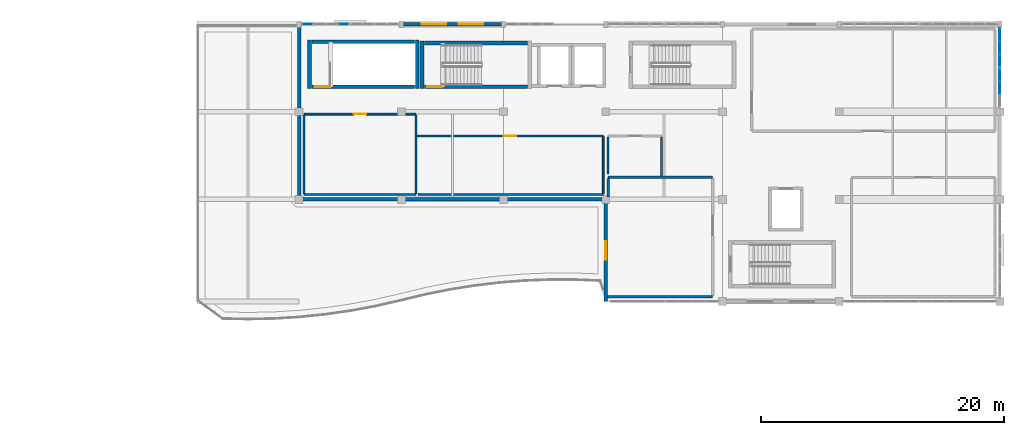
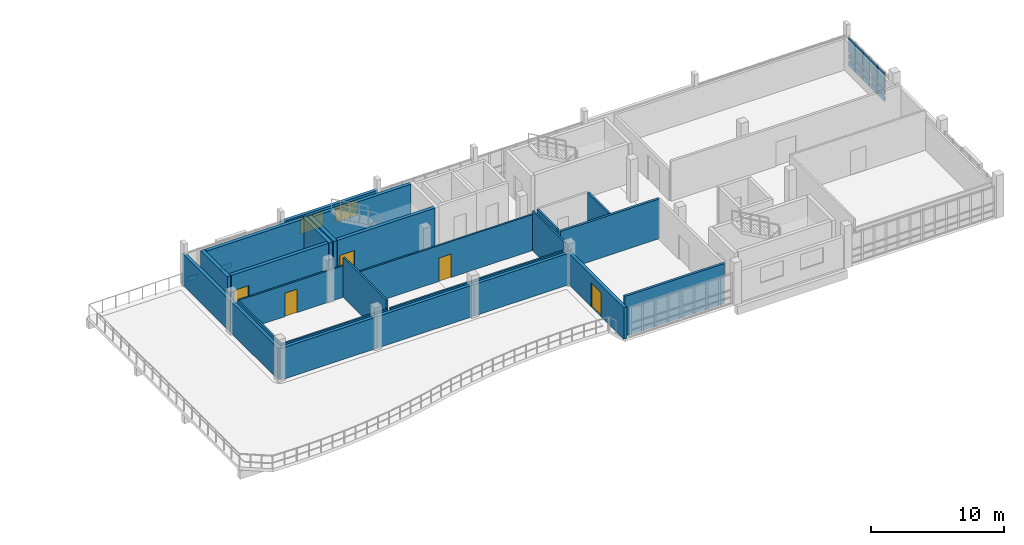
# One storey, part 20 of 25: 26 walls, 17 plates, 5 doors, 2 windows, 7 openings, 3 elements without a shape of their own.
"""IFC4 building model written with IfcOpenShell, lengths in metres."""

from ifc_helpers import new_model, si_unit, direction, frame, frame_2d, origin, origin_2d, place, context, subcontext, project, spatial, rectangle, extrude, material, layer, layer_set, type_object, element, fill, aggregate, save


model = new_model("IFC4")

# Units and contexts
model_context = context("Model", 3, precision=1e-05, world=origin(), true_north=direction((0.0, 1.0)))
body_context = subcontext(model_context, "Body", "Model", "MODEL_VIEW")
ifc_project = project(units=[si_unit("LENGTHUNIT", "METRE"), si_unit("AREAUNIT", "SQUARE_METRE"), si_unit("VOLUMEUNIT", "CUBIC_METRE"), si_unit("PLANEANGLEUNIT", "RADIAN"), si_unit("MASSUNIT", "GRAM", prefix="KILO")], contexts=[model_context])

# Site, building, storey
site_placement = place(None, origin())
site = spatial("IfcSite", under=ifc_project, at=site_placement, CompositionType="ELEMENT")
building_placement = place(site_placement, origin())
building = spatial("IfcBuilding", under=site, at=building_placement, Name="Kisaragi Civic Commons", CompositionType="ELEMENT")
storey_placement = place(building_placement, frame((0.0, 0.0, 13.5)))
storey = spatial("IfcBuildingStorey", under=building, at=storey_placement, Name="L03", CompositionType="ELEMENT", Elevation=13.5)

# Curtain wall, plates
ifc_material_1 = material(Name="Thermally broken anodized aluminium and low-E double glazing", Category="aluminium")
ifc_layer_1 = layer(ifc_material_1, 0.179931640625, Name="Thermally broken anodized aluminium and low-E double glazing", Category="aluminium")
ifc_layer_set_1 = layer_set([ifc_layer_1], Name="Thermally broken anodized aluminium and low-E double glazing")
curtain_wall_type = type_object("IfcCurtainWallType", Name="CW-01", PredefinedType="NOTDEFINED", material=ifc_layer_set_1)
curtain_wall_1_placement = place(storey_placement, origin())
curtain_wall_1 = element("IfcCurtainWall", 1, at=curtain_wall_1_placement, inside=storey, type_object=curtain_wall_type, Name="L03 curtain wall CW-01 CW-V4-L03-095", PredefinedType="NOTDEFINED")
ifc_layer_2 = layer(ifc_material_1, 0.06005859375, Name="Thermally broken anodized aluminium and low-E double glazing", Category="aluminium")
ifc_layer_set_2 = layer_set([ifc_layer_2], Name="Thermally broken anodized aluminium and low-E double glazing")
plate_type_1 = type_object("IfcPlateType", Name="CWP-07", PredefinedType="CURTAIN_PANEL", material=ifc_layer_set_2)
plate_1_placement = place(storey_placement, frame((89.50244140625, 118.800048828125, 0.14013671875), z_axis=(0.0, 0.0, 1.0), x_axis=(1.0, 0.0, 0.0)))
plate_1 = element("IfcPlate", 2, at=plate_1_placement, type_object=plate_type_1, Name="CW-01 panel 1.1", PredefinedType="CURTAIN_PANEL", context=body_context, shape_type="SweptSolid", body=[
    extrude(rectangle(XDim=0.89501953125, YDim=0.06005859375, at=origin_2d()), origin(), (0.0, 0.0, 1.0), 0.43994140625),
])
plate_2_placement = place(storey_placement, frame((92.447509765625, 118.800048828125, 0.14013671875), z_axis=(0.0, 0.0, 1.0), x_axis=(1.0, 0.0, 0.0)))
plate_2 = element("IfcPlate", 3, at=plate_2_placement, type_object=plate_type_1, Name="CW-01 panel 4.1", PredefinedType="CURTAIN_PANEL", context=body_context, shape_type="SweptSolid", body=[
    extrude(rectangle(XDim=0.89501953125, YDim=0.06005859375, at=origin_2d()), origin(), (0.0, 0.0, 1.0), 0.43994140625),
])
aggregate(curtain_wall_1, [plate_1, plate_2])

curtain_wall_2_placement = place(storey_placement, origin())
curtain_wall_2 = element("IfcCurtainWall", 4, at=curtain_wall_2_placement, inside=storey, type_object=curtain_wall_type, Name="L03 curtain wall CW-01 CW-V4-L03-103", PredefinedType="NOTDEFINED")
ifc_layer_3 = layer(ifc_material_1, 0.070068359375, Name="Thermally broken anodized aluminium and low-E double glazing", Category="aluminium")
ifc_layer_set_3 = layer_set([ifc_layer_3], Name="Thermally broken anodized aluminium and low-E double glazing")
plate_type_2 = type_object("IfcPlateType", Name="CWP-17", PredefinedType="CURTAIN_PANEL", material=ifc_layer_set_3)
plate_3_placement = place(storey_placement, frame((146.39990234375, 117.952880859375, 0.14013671875), z_axis=(0.0, 0.0, 1.0), x_axis=(0.0, -1.0, 0.0)))
plate_3 = element("IfcPlate", 5, at=plate_3_placement, type_object=plate_type_2, Name="CW-01 panel 1.1", PredefinedType="CURTAIN_PANEL", context=body_context, shape_type="SweptSolid", body=[
    extrude(rectangle(XDim=0.984130859375, YDim=0.070068359375, at=origin_2d()), origin(), (0.0, 0.0, 1.0), 0.43994140625),
])
plate_4_placement = place(storey_placement, frame((146.39990234375, 117.952880859375, 0.72021484375), z_axis=(0.0, 0.0, 1.0), x_axis=(0.0, -1.0, 0.0)))
plate_4 = element("IfcPlate", 6, at=plate_4_placement, type_object=plate_type_2, Name="CW-01 panel 1.2", PredefinedType="CURTAIN_PANEL", context=body_context, shape_type="SweptSolid", body=[
    extrude(rectangle(XDim=0.984130859375, YDim=0.070068359375, at=origin_2d()), origin(), (0.0, 0.0, 1.0), 0.510009765625),
])
plate_5_placement = place(storey_placement, frame((146.39990234375, 117.952880859375, 1.369873046875), z_axis=(0.0, 0.0, 1.0), x_axis=(0.0, -1.0, 0.0)))
plate_5 = element("IfcPlate", 7, at=plate_5_placement, type_object=plate_type_2, Name="CW-01 panel 1.3", PredefinedType="CURTAIN_PANEL", context=body_context, shape_type="SweptSolid", body=[
    extrude(rectangle(XDim=0.984130859375, YDim=0.070068359375, at=origin_2d()), origin(), (0.0, 0.0, 1.0), 1.39501953125),
])
plate_6_placement = place(storey_placement, frame((146.39990234375, 116.887451171875, 0.14013671875), z_axis=(0.0, 0.0, 1.0), x_axis=(0.0, -1.0, 0.0)))
plate_6 = element("IfcPlate", 8, at=plate_6_placement, type_object=plate_type_2, Name="CW-01 panel 2.1", PredefinedType="CURTAIN_PANEL", context=body_context, shape_type="SweptSolid", body=[
    extrude(rectangle(XDim=1.0166015625, YDim=0.070068359375, at=origin_2d()), origin(), (0.0, 0.0, 1.0), 0.43994140625),
])
plate_7_placement = place(storey_placement, frame((146.39990234375, 116.887451171875, 0.72021484375), z_axis=(0.0, 0.0, 1.0), x_axis=(0.0, -1.0, 0.0)))
plate_7 = element("IfcPlate", 9, at=plate_7_placement, type_object=plate_type_2, Name="CW-01 panel 2.2", PredefinedType="CURTAIN_PANEL", context=body_context, shape_type="SweptSolid", body=[
    extrude(rectangle(XDim=1.0166015625, YDim=0.070068359375, at=origin_2d()), origin(), (0.0, 0.0, 1.0), 0.510009765625),
])
plate_8_placement = place(storey_placement, frame((146.39990234375, 116.887451171875, 1.369873046875), z_axis=(0.0, 0.0, 1.0), x_axis=(0.0, -1.0, 0.0)))
plate_8 = element("IfcPlate", 10, at=plate_8_placement, type_object=plate_type_2, Name="CW-01 panel 2.3", PredefinedType="CURTAIN_PANEL", context=body_context, shape_type="SweptSolid", body=[
    extrude(rectangle(XDim=1.0166015625, YDim=0.070068359375, at=origin_2d()), origin(), (0.0, 0.0, 1.0), 1.39501953125),
])
plate_9_placement = place(storey_placement, frame((146.39990234375, 115.822021484375, 0.14013671875), z_axis=(0.0, 0.0, 1.0), x_axis=(0.0, -1.0, 0.0)))
plate_9 = element("IfcPlate", 11, at=plate_9_placement, type_object=plate_type_2, Name="CW-01 panel 3.1", PredefinedType="CURTAIN_PANEL", context=body_context, shape_type="SweptSolid", body=[
    extrude(rectangle(XDim=0.984130859375, YDim=0.070068359375, at=origin_2d()), origin(), (0.0, 0.0, 1.0), 0.43994140625),
])
plate_10_placement = place(storey_placement, frame((146.39990234375, 115.822021484375, 0.72021484375), z_axis=(0.0, 0.0, 1.0), x_axis=(0.0, -1.0, 0.0)))
plate_10 = element("IfcPlate", 12, at=plate_10_placement, type_object=plate_type_2, Name="CW-01 panel 3.2", PredefinedType="CURTAIN_PANEL", context=body_context, shape_type="SweptSolid", body=[
    extrude(rectangle(XDim=0.984130859375, YDim=0.070068359375, at=origin_2d()), origin(), (0.0, 0.0, 1.0), 0.510009765625),
])
plate_11_placement = place(storey_placement, frame((146.39990234375, 115.822021484375, 1.369873046875), z_axis=(0.0, 0.0, 1.0), x_axis=(0.0, -1.0, 0.0)))
plate_11 = element("IfcPlate", 13, at=plate_11_placement, type_object=plate_type_2, Name="CW-01 panel 3.3", PredefinedType="CURTAIN_PANEL", context=body_context, shape_type="SweptSolid", body=[
    extrude(rectangle(XDim=0.984130859375, YDim=0.070068359375, at=origin_2d()), origin(), (0.0, 0.0, 1.0), 1.39501953125),
])
aggregate(curtain_wall_2, [plate_3, plate_4, plate_5, plate_6, plate_7, plate_8, plate_9, plate_10, plate_11])

curtain_wall_3_placement = place(storey_placement, origin())
curtain_wall_3 = element("IfcCurtainWall", 14, at=curtain_wall_3_placement, inside=storey, type_object=curtain_wall_type, Name="L03 curtain wall CW-01 CW-V4-L03-104", PredefinedType="NOTDEFINED")
ifc_layer_4 = layer(ifc_material_1, 0.077880859375, Name="Thermally broken anodized aluminium and low-E double glazing", Category="aluminium")
ifc_layer_set_4 = layer_set([ifc_layer_4], Name="Thermally broken anodized aluminium and low-E double glazing")
plate_type_3 = type_object("IfcPlateType", Name="CWP-18", PredefinedType="CURTAIN_PANEL", material=ifc_layer_set_4)
plate_12_placement = place(storey_placement, frame((146.39990234375, 114.6279296875, 0.14013671875), z_axis=(0.0, 0.0, 1.0), x_axis=(0.0, -1.0, 0.0)))
plate_12 = element("IfcPlate", 15, at=plate_12_placement, type_object=plate_type_3, Name="CW-01 panel 1.1", PredefinedType="CURTAIN_PANEL", context=body_context, shape_type="SweptSolid", body=[
    extrude(rectangle(XDim=0.984130859375, YDim=0.077880859375, at=origin_2d()), origin(), (0.0, 0.0, 1.0), 0.43994140625),
])
plate_13_placement = place(storey_placement, frame((146.39990234375, 114.6279296875, 0.72021484375), z_axis=(0.0, 0.0, 1.0), x_axis=(0.0, -1.0, 0.0)))
plate_13 = element("IfcPlate", 16, at=plate_13_placement, type_object=plate_type_3, Name="CW-01 panel 1.2", PredefinedType="CURTAIN_PANEL", context=body_context, shape_type="SweptSolid", body=[
    extrude(rectangle(XDim=0.984130859375, YDim=0.077880859375, at=origin_2d()), origin(), (0.0, 0.0, 1.0), 0.510009765625),
])
plate_14_placement = place(storey_placement, frame((146.39990234375, 114.6279296875, 1.369873046875), z_axis=(0.0, 0.0, 1.0), x_axis=(0.0, -1.0, 0.0)))
plate_14 = element("IfcPlate", 17, at=plate_14_placement, type_object=plate_type_3, Name="CW-01 panel 1.3", PredefinedType="CURTAIN_PANEL", context=body_context, shape_type="SweptSolid", body=[
    extrude(rectangle(XDim=0.984130859375, YDim=0.077880859375, at=origin_2d()), origin(), (0.0, 0.0, 1.0), 1.39501953125),
])
plate_15_placement = place(storey_placement, frame((146.39990234375, 113.5625, 0.14013671875), z_axis=(0.0, 0.0, 1.0), x_axis=(0.0, -1.0, 0.0)))
plate_15 = element("IfcPlate", 18, at=plate_15_placement, type_object=plate_type_3, Name="CW-01 panel 2.1", PredefinedType="CURTAIN_PANEL", context=body_context, shape_type="SweptSolid", body=[
    extrude(rectangle(XDim=1.0166015625, YDim=0.077880859375, at=origin_2d()), origin(), (0.0, 0.0, 1.0), 0.43994140625),
])
plate_16_placement = place(storey_placement, frame((146.39990234375, 113.5625, 0.72021484375), z_axis=(0.0, 0.0, 1.0), x_axis=(0.0, -1.0, 0.0)))
plate_16 = element("IfcPlate", 19, at=plate_16_placement, type_object=plate_type_3, Name="CW-01 panel 2.2", PredefinedType="CURTAIN_PANEL", context=body_context, shape_type="SweptSolid", body=[
    extrude(rectangle(XDim=1.0166015625, YDim=0.077880859375, at=origin_2d()), origin(), (0.0, 0.0, 1.0), 0.510009765625),
])
plate_17_placement = place(storey_placement, frame((146.39990234375, 113.5625, 1.369873046875), z_axis=(0.0, 0.0, 1.0), x_axis=(0.0, -1.0, 0.0)))
plate_17 = element("IfcPlate", 20, at=plate_17_placement, type_object=plate_type_3, Name="CW-01 panel 2.3", PredefinedType="CURTAIN_PANEL", context=body_context, shape_type="SweptSolid", body=[
    extrude(rectangle(XDim=1.0166015625, YDim=0.077880859375, at=origin_2d()), origin(), (0.0, 0.0, 1.0), 1.39501953125),
])
aggregate(curtain_wall_3, [plate_12, plate_13, plate_14, plate_15, plate_16, plate_17])

# Wall, openings, windows
ifc_material_2 = material(Name="Insulated Tokoname terracotta cavity wall", Category="masonry")
ifc_layer_5 = layer(ifc_material_2, 0.278076171875, Name="Insulated Tokoname terracotta cavity wall", Category="masonry")
ifc_layer_set_5 = layer_set([ifc_layer_5], Name="Insulated Tokoname terracotta cavity wall")
wall_type_1 = type_object("IfcWallType", Name="EW-07", PredefinedType="STANDARD", material=ifc_layer_set_5)
wall_1_placement = place(storey_placement, frame((97.199951171875, 118.800048828125, 0.0), z_axis=(0.0, 0.0, 1.0), x_axis=(1.0, 0.0, 0.0)))
wall_1 = element("IfcWall", 21, at=wall_1_placement, inside=storey, type_object=wall_type_1, Name="V4 L03 exterior terracotta wall EW-07 374", PredefinedType="STANDARD", context=body_context, shape_type="SweptSolid", body=[
    extrude(rectangle(XDim=8.400146484375, YDim=0.278076171875, at=frame_2d((4.2001953125, 0.0))), origin(), (0.0, 0.0, 1.0), 2.85498046875),
])
opening_1_placement = place(wall_1_placement, frame((1.68798828125, 0.0, 1.10009765625)))
opening_1 = element("IfcOpeningElement", 22, at=opening_1_placement, cuts=wall_1, Name="Opening W-13", PredefinedType="OPENING", context=body_context, shape_type="SweptSolid", body=[
    extrude(rectangle(XDim=2.0, YDim=1.39990234375, at=frame_2d((1.0, 0.699951171875))), frame((0.0, 0.14892578125, 0.0), z_axis=(0.0, -1.0, 0.0), x_axis=(1.0, 0.0, 0.0)), (0.0, 0.0, 1.0), 0.298095703125),
])
opening_2_placement = place(wall_1_placement, frame((4.7119140625, 0.0, 1.10009765625)))
opening_2 = element("IfcOpeningElement", 23, at=opening_2_placement, cuts=wall_1, Name="Opening W-13", PredefinedType="OPENING", context=body_context, shape_type="SweptSolid", body=[
    extrude(rectangle(XDim=2.0, YDim=1.39990234375, at=frame_2d((1.0, 0.699951171875))), frame((0.0, 0.14892578125, 0.0), z_axis=(0.0, -1.0, 0.0), x_axis=(1.0, 0.0, 0.0)), (0.0, 0.0, 1.0), 0.298095703125),
])
ifc_material_3 = material(Name="Thermally broken aluminium frame and low-E argon double glazing", Category="aluminium")
window_type = type_object("IfcWindowType", Name="W-13", PartitioningType="SINGLE_PANEL", PredefinedType="WINDOW", material=ifc_material_3)
window_1_placement = place(opening_1_placement, origin())
window_1 = element("IfcWindow", 24, at=window_1_placement, inside=storey, type_object=window_type, Name="V4 L03 window W-13 122", OverallHeight=1.39990234375, OverallWidth=2.0, PartitioningType="SINGLE_PANEL", PredefinedType="WINDOW", context=body_context, shape_type="SweptSolid", body=[
    extrude(rectangle(XDim=2.0, YDim=1.39990234375, at=frame_2d((1.0, 0.699951171875))), frame((0.0, 0.030029296875, 0.0), z_axis=(0.0, -1.0, 0.0), x_axis=(1.0, 0.0, 0.0)), (0.0, 0.0, 1.0), 0.06005859375),
])
fill(opening_1, window_1)
window_2_placement = place(opening_2_placement, origin())
window_2 = element("IfcWindow", 25, at=window_2_placement, inside=storey, type_object=window_type, Name="V4 L03 window W-13 123", OverallHeight=1.39990234375, OverallWidth=2.0, PartitioningType="SINGLE_PANEL", PredefinedType="WINDOW", context=body_context, shape_type="SweptSolid", body=[
    extrude(rectangle(XDim=2.0, YDim=1.39990234375, at=frame_2d((1.0, 0.699951171875))), frame((0.0, 0.030029296875, 0.0), z_axis=(0.0, -1.0, 0.0), x_axis=(1.0, 0.0, 0.0)), (0.0, 0.0, 1.0), 0.06005859375),
])
fill(opening_2, window_2)

# Wall, opening, door
wall_2_placement = place(storey_placement, frame((114.0, 96.0, 0.0), z_axis=(0.0, 0.0, 1.0), x_axis=(0.0, 1.0, 0.0)))
wall_2 = element("IfcWall", 26, at=wall_2_placement, inside=storey, type_object=wall_type_1, Name="V4 L03 exterior terracotta wall EW-07 378", PredefinedType="STANDARD", context=body_context, shape_type="SweptSolid", body=[
    extrude(rectangle(XDim=8.39990234375, YDim=0.278076171875, at=frame_2d((4.199951171875, 0.0))), origin(), (0.0, 0.0, 1.0), 2.905029296875),
])
opening_3_placement = place(wall_2_placement, frame((3.449951171875, 0.0, 0.0)))
opening_3 = element("IfcOpeningElement", 27, at=opening_3_placement, cuts=wall_2, Name="Opening TD-02", PredefinedType="OPENING", context=body_context, shape_type="SweptSolid", body=[
    extrude(rectangle(XDim=1.5, YDim=2.199951171875, at=frame_2d((0.75, 1.10009765625))), frame((0.0, 0.14892578125, 0.0), z_axis=(0.0, -1.0, 0.0), x_axis=(1.0, 0.0, 0.0)), (0.0, 0.0, 1.0), 0.298095703125),
])
ifc_material_4 = material(Name="Thermally broken anodized aluminium glazed exit door", Category="aluminium")
door_type_1 = type_object("IfcDoorType", Name="TD-02", OperationType="NOTDEFINED", PredefinedType="DOOR", material=ifc_material_4)
door_1_placement = place(opening_3_placement, origin())
door_1 = element("IfcDoor", 28, at=door_1_placement, inside=storey, type_object=door_type_1, Name="V4 L03 terrace access door 07", OperationType="DOUBLE_DOOR_SINGLE_SWING", OverallHeight=2.199951171875, OverallWidth=1.5, PredefinedType="DOOR", context=body_context, shape_type="SweptSolid", body=[
    extrude(rectangle(XDim=1.5, YDim=2.199951171875, at=frame_2d((0.75, 1.10009765625))), frame((0.0, 0.02490234375, 0.0), z_axis=(0.0, -1.0, 0.0), x_axis=(1.0, 0.0, 0.0)), (0.0, 0.0, 1.0), 0.050048828125),
])
fill(opening_3, door_1)

# Walls
wall_3_placement = place(storey_placement, frame((114.0, 104.39990234375, 0.0), z_axis=(0.0, 0.0, 1.0), x_axis=(-1.0, 0.0, 0.0)))
element("IfcWall", 29, at=wall_3_placement, inside=storey, type_object=wall_type_1, Name="V4 L03 exterior terracotta wall EW-07 379", PredefinedType="STANDARD", context=body_context, shape_type="SweptSolid", body=[
    extrude(rectangle(XDim=8.39990234375, YDim=0.278076171875, at=frame_2d((4.199951171875, 0.0))), origin(), (0.0, 0.0, 1.0), 2.905029296875),
])
wall_4_placement = place(storey_placement, frame((105.60009765625, 104.39990234375, 0.0), z_axis=(0.0, 0.0, 1.0), x_axis=(-1.0, 0.0, 0.0)))
element("IfcWall", 30, at=wall_4_placement, inside=storey, type_object=wall_type_1, Name="V4 L03 exterior terracotta wall EW-07 380", PredefinedType="STANDARD", context=body_context, shape_type="SweptSolid", body=[
    extrude(rectangle(XDim=8.400146484375, YDim=0.278076171875, at=frame_2d((4.2001953125, 0.0))), origin(), (0.0, 0.0, 1.0), 2.905029296875),
])
wall_5_placement = place(storey_placement, frame((97.199951171875, 104.39990234375, 0.0), z_axis=(0.0, 0.0, 1.0), x_axis=(-1.0, 0.0, 0.0)))
element("IfcWall", 31, at=wall_5_placement, inside=storey, type_object=wall_type_1, Name="V4 L03 exterior terracotta wall EW-07 381", PredefinedType="STANDARD", context=body_context, shape_type="SweptSolid", body=[
    extrude(rectangle(XDim=8.39990234375, YDim=0.278076171875, at=frame_2d((4.199951171875, 0.0))), origin(), (0.0, 0.0, 1.0), 2.905029296875),
])
wall_6_placement = place(storey_placement, frame((88.800048828125, 104.39990234375, 0.0), z_axis=(0.0, 0.0, 1.0), x_axis=(0.0, 1.0, 0.0)))
element("IfcWall", 32, at=wall_6_placement, inside=storey, type_object=wall_type_1, Name="V4 L03 exterior terracotta wall EW-07 382", PredefinedType="STANDARD", context=body_context, shape_type="SweptSolid", body=[
    extrude(rectangle(XDim=7.2001953125, YDim=0.278076171875, at=frame_2d((3.60009765625, 0.0))), origin(), (0.0, 0.0, 1.0), 2.905029296875),
])
wall_7_placement = place(storey_placement, frame((88.800048828125, 111.60009765625, 0.0), z_axis=(0.0, 0.0, 1.0), x_axis=(0.0, 1.0, 0.0)))
element("IfcWall", 33, at=wall_7_placement, inside=storey, type_object=wall_type_1, Name="V4 L03 exterior terracotta wall EW-07 383", PredefinedType="STANDARD", context=body_context, shape_type="SweptSolid", body=[
    extrude(rectangle(XDim=7.199951171875, YDim=0.278076171875, at=frame_2d((3.60009765625, 0.0))), origin(), (0.0, 0.0, 1.0), 2.905029296875),
])
ifc_material_5 = material(Name="Acoustic gypsum board on light-gauge steel studs", Category="steel")
ifc_layer_6 = layer(ifc_material_5, 0.14990234375, Name="Acoustic gypsum board on light-gauge steel studs", Category="steel")
ifc_layer_set_6 = layer_set([ifc_layer_6], Name="Acoustic gypsum board on light-gauge steel studs")
wall_type_2 = type_object("IfcWallType", Name="IW-01", PredefinedType="STANDARD", material=ifc_layer_set_6)
wall_8_placement = place(storey_placement, frame((98.39990234375, 111.324951171875, 0.0), z_axis=(0.0, 0.0, 1.0), x_axis=(0.0, -1.0, 0.0)))
element("IfcWall", 34, at=wall_8_placement, inside=storey, type_object=wall_type_2, Name="L03 W3-03 partition IW-01 334", PredefinedType="STANDARD", context=body_context, shape_type="SweptSolid", body=[
    extrude(rectangle(XDim=6.449951171875, YDim=0.14990234375, at=frame_2d((3.22509765625, 0.0))), origin(), (0.0, 0.0, 1.0), 3.659912109375),
])
wall_9_placement = place(storey_placement, frame((98.39501953125, 104.800048828125, 0.0), z_axis=(0.0, 0.0, 1.0), x_axis=(-1.0, 0.0, 0.0)))
element("IfcWall", 35, at=wall_9_placement, inside=storey, type_object=wall_type_2, Name="L03 W3-03 partition IW-01 335", PredefinedType="STANDARD", context=body_context, shape_type="SweptSolid", body=[
    extrude(rectangle(XDim=9.18994140625, YDim=0.14990234375, at=frame_2d((4.594970703125, 0.0))), origin(), (0.0, 0.0, 1.0), 2.905029296875),
])
wall_10_placement = place(storey_placement, frame((89.199951171875, 104.875, 0.0), z_axis=(0.0, 0.0, 1.0), x_axis=(0.0, 1.0, 0.0)))
element("IfcWall", 36, at=wall_10_placement, inside=storey, type_object=wall_type_2, Name="L03 W3-03 partition IW-01 336", PredefinedType="STANDARD", context=body_context, shape_type="SweptSolid", body=[
    extrude(rectangle(XDim=6.449951171875, YDim=0.14990234375, at=frame_2d((3.22509765625, 0.0))), origin(), (0.0, 0.0, 1.0), 2.905029296875),
])

# Wall, opening, door
wall_11_placement = place(storey_placement, frame((89.205078125, 111.39990234375, 0.0), z_axis=(0.0, 0.0, 1.0), x_axis=(1.0, 0.0, 0.0)))
wall_11 = element("IfcWall", 37, at=wall_11_placement, inside=storey, type_object=wall_type_2, Name="L03 W3-03 partition IW-01 337", PredefinedType="STANDARD", context=body_context, shape_type="SweptSolid", body=[
    extrude(rectangle(XDim=9.18994140625, YDim=0.14990234375, at=frame_2d((4.594970703125, 0.0))), origin(), (0.0, 0.0, 1.0), 2.905029296875),
])
opening_4_placement = place(wall_11_placement, frame((4.070068359375, 0.0, 0.0)))
opening_4 = element("IfcOpeningElement", 38, at=opening_4_placement, cuts=wall_11, Name="Opening ID-03", PredefinedType="OPENING", context=body_context, shape_type="SweptSolid", body=[
    extrude(rectangle(XDim=1.050048828125, YDim=2.14990234375, at=frame_2d((0.52490234375, 1.074951171875))), frame((0.0, 0.0849609375, 0.0), z_axis=(0.0, -1.0, 0.0), x_axis=(1.0, 0.0, 0.0)), (0.0, 0.0, 1.0), 0.169921875),
])
ifc_material_6 = material(Name="Solid-core Japanese ash acoustic flush timber leaf in steel frame", Category="steel")
door_type_2 = type_object("IfcDoorType", Name="ID-03", OperationType="NOTDEFINED", PredefinedType="DOOR", material=ifc_material_6)
door_2_placement = place(opening_4_placement, origin())
door_2 = element("IfcDoor", 39, at=door_2_placement, inside=storey, type_object=door_type_2, Name="Youth Activity Room door ID-03", OperationType="SINGLE_SWING_LEFT", OverallHeight=2.14990234375, OverallWidth=1.050048828125, PredefinedType="DOOR", context=body_context, shape_type="SweptSolid", body=[
    extrude(rectangle(XDim=1.050048828125, YDim=2.14990234375, at=frame_2d((0.52490234375, 1.074951171875))), frame((0.0, 0.02490234375, 0.0), z_axis=(0.0, -1.0, 0.0), x_axis=(1.0, 0.0, 0.0)), (0.0, 0.0, 1.0), 0.050048828125),
])
fill(opening_4, door_2)

# Walls
wall_12_placement = place(storey_placement, frame((113.800048828125, 109.52490234375, 0.0), z_axis=(0.0, 0.0, 1.0), x_axis=(0.0, -1.0, 0.0)))
element("IfcWall", 40, at=wall_12_placement, inside=storey, type_object=wall_type_2, Name="L03 W3-04 partition IW-01 338", PredefinedType="STANDARD", context=body_context, shape_type="SweptSolid", body=[
    extrude(rectangle(XDim=4.64990234375, YDim=0.14990234375, at=frame_2d((2.324951171875, 0.0))), origin(), (0.0, 0.0, 1.0), 3.659912109375),
])
wall_13_placement = place(storey_placement, frame((113.794921875, 104.800048828125, 0.0), z_axis=(0.0, 0.0, 1.0), x_axis=(-1.0, 0.0, 0.0)))
element("IfcWall", 41, at=wall_13_placement, inside=storey, type_object=wall_type_2, Name="L03 W3-04 partition IW-01 339", PredefinedType="STANDARD", context=body_context, shape_type="SweptSolid", body=[
    extrude(rectangle(XDim=15.18994140625, YDim=0.14990234375, at=frame_2d((7.594970703125, 0.0))), origin(), (0.0, 0.0, 1.0), 2.905029296875),
])

# Wall, opening, door
wall_14_placement = place(storey_placement, frame((98.48291015625, 109.60009765625, 0.0), z_axis=(0.0, 0.0, 1.0), x_axis=(1.0, 0.0, 0.0)))
wall_14 = element("IfcWall", 42, at=wall_14_placement, inside=storey, type_object=wall_type_2, Name="L03 W3-04 partition IW-01 340", PredefinedType="STANDARD", context=body_context, shape_type="SweptSolid", body=[
    extrude(rectangle(XDim=15.31201171875, YDim=0.14990234375, at=frame_2d((7.656005859375, 0.0))), origin(), (0.0, 0.0, 1.0), 3.304931640625),
])
opening_5_placement = place(wall_14_placement, frame((7.131103515625, 0.0, 0.0)))
opening_5 = element("IfcOpeningElement", 43, at=opening_5_placement, cuts=wall_14, Name="Opening ID-03", PredefinedType="OPENING", context=body_context, shape_type="SweptSolid", body=[
    extrude(rectangle(XDim=1.050048828125, YDim=2.14990234375, at=frame_2d((0.52490234375, 1.074951171875))), frame((0.0, 0.0849609375, 0.0), z_axis=(0.0, -1.0, 0.0), x_axis=(1.0, 0.0, 0.0)), (0.0, 0.0, 1.0), 0.169921875),
])
door_3_placement = place(opening_5_placement, origin())
door_3 = element("IfcDoor", 44, at=door_3_placement, inside=storey, type_object=door_type_2, Name="Youth Study Lounge door ID-03", OperationType="SINGLE_SWING_RIGHT", OverallHeight=2.14990234375, OverallWidth=1.050048828125, PredefinedType="DOOR", context=body_context, shape_type="SweptSolid", body=[
    extrude(rectangle(XDim=1.050048828125, YDim=2.14990234375, at=frame_2d((0.52490234375, 1.074951171875))), frame((0.0, 0.02490234375, 0.0), z_axis=(0.0, -1.0, 0.0), x_axis=(1.0, 0.0, 0.0)), (0.0, 0.0, 1.0), 0.050048828125),
])
fill(opening_5, door_3)

# Walls
ifc_material_7 = material(Name="Cementitious tile-backer board on galvanized steel studs", Category="steel")
ifc_layer_7 = layer(ifc_material_7, 0.16796875, Name="Cementitious tile-backer board on galvanized steel studs", Category="steel")
ifc_layer_set_7 = layer_set([ifc_layer_7], Name="Cementitious tile-backer board on galvanized steel studs")
wall_type_3 = type_object("IfcWallType", Name="IW-03", PredefinedType="STANDARD", material=ifc_layer_set_7)
wall_15_placement = place(storey_placement, frame((118.60009765625, 109.52490234375, 0.0), z_axis=(0.0, 0.0, 1.0), x_axis=(0.0, -1.0, 0.0)))
element("IfcWall", 45, at=wall_15_placement, inside=storey, type_object=wall_type_3, Name="L03 W3-09 partition IW-03 349", PredefinedType="STANDARD", context=body_context, shape_type="SweptSolid", body=[
    extrude(rectangle(XDim=3.212890625, YDim=0.16796875, at=frame_2d((1.6064453125, 0.0))), origin(), (0.0, 0.0, 1.0), 3.659912109375),
])
wall_16_placement = place(storey_placement, frame((114.199951171875, 106.47509765625, 0.0), z_axis=(0.0, 0.0, 1.0), x_axis=(0.0, 1.0, 0.0)))
element("IfcWall", 46, at=wall_16_placement, inside=storey, type_object=wall_type_3, Name="L03 W3-09 partition IW-03 350", PredefinedType="STANDARD", context=body_context, shape_type="SweptSolid", body=[
    extrude(rectangle(XDim=3.0498046875, YDim=0.16796875, at=frame_2d((1.52490234375, 0.0))), origin(), (0.0, 0.0, 1.0), 3.659912109375),
])
ifc_material_8 = material(Name="Slatted Mikawa hinoki acoustic timber partition", Category="wood")
ifc_layer_8 = layer(ifc_material_8, 0.2080078125, Name="Slatted Mikawa hinoki acoustic timber partition", Category="wood")
ifc_layer_set_8 = layer_set([ifc_layer_8], Name="Slatted Mikawa hinoki acoustic timber partition")
wall_type_4 = type_object("IfcWallType", Name="IW-05", PredefinedType="STANDARD", material=ifc_layer_set_8)
wall_17_placement = place(storey_placement, frame((122.794921875, 96.39990234375, 0.0), z_axis=(0.0, 0.0, 1.0), x_axis=(-1.0, 0.0, 0.0)))
element("IfcWall", 47, at=wall_17_placement, inside=storey, type_object=wall_type_4, Name="L03 W3-05 partition IW-05 341", PredefinedType="STANDARD", context=body_context, shape_type="SweptSolid", body=[
    extrude(rectangle(XDim=8.64794921875, YDim=0.2080078125, at=frame_2d((4.323974609375, 0.0))), origin(), (0.0, 0.0, 1.0), 3.659912109375),
])
wall_18_placement = place(storey_placement, frame((114.199951171875, 104.607666015625, 0.0), z_axis=(0.0, 0.0, 1.0), x_axis=(0.0, 1.0, 0.0)))
element("IfcWall", 48, at=wall_18_placement, inside=storey, type_object=wall_type_4, Name="L03 W3-05 partition IW-05 342", PredefinedType="STANDARD", context=body_context, shape_type="SweptSolid", body=[
    extrude(rectangle(XDim=1.517333984375, YDim=0.2080078125, at=frame_2d((0.7587890625, 0.0))), origin(), (0.0, 0.0, 1.0), 2.905029296875),
])
wall_19_placement = place(storey_placement, frame((114.205078125, 106.199951171875, 0.0), z_axis=(0.0, 0.0, 1.0), x_axis=(1.0, 0.0, 0.0)))
element("IfcWall", 49, at=wall_19_placement, inside=storey, type_object=wall_type_4, Name="L03 W3-05 partition IW-05 343", PredefinedType="STANDARD", context=body_context, shape_type="SweptSolid", body=[
    extrude(rectangle(XDim=8.58984375, YDim=0.2080078125, at=frame_2d((4.294921875, 0.0))), origin(), (0.0, 0.0, 1.0), 3.659912109375),
])
ifc_material_9 = material(Name="Concrete Fc36", Category="concrete")
ifc_layer_9 = layer(ifc_material_9, 0.300048828125, Name="Concrete Fc36", Category="concrete")
ifc_layer_set_9 = layer_set([ifc_layer_9], Name="Concrete Fc36")
wall_type_5 = type_object("IfcWallType", Name="SW-01", PredefinedType="SHEAR", material=ifc_layer_set_9)
wall_20_placement = place(storey_placement, frame((98.89990234375, 117.39990234375, 0.0), z_axis=(0.0, 0.0, 1.0), x_axis=(0.0, -1.0, 0.0)))
element("IfcWall", 50, at=wall_20_placement, inside=storey, type_object=wall_type_5, Name="ST-L1 L03 entry RC shear wall", PredefinedType="SHEAR", context=body_context, shape_type="SweptSolid", body=[
    extrude(rectangle(XDim=3.89990234375, YDim=0.300048828125, at=frame_2d((1.949951171875, 0.0))), origin(), (0.0, 0.0, 1.0), 3.659912109375),
])

# Wall, opening, door
wall_21_placement = place(storey_placement, frame((99.10009765625, 113.64990234375, 0.0), z_axis=(0.0, 0.0, 1.0), x_axis=(1.0, 0.0, 0.0)))
wall_21 = element("IfcWall", 51, at=wall_21_placement, inside=storey, type_object=wall_type_5, Name="ST-L1 L03 right RC shear wall", PredefinedType="SHEAR", context=body_context, shape_type="SweptSolid", body=[
    extrude(rectangle(XDim=8.449951171875, YDim=0.300048828125, at=frame_2d((4.22509765625, 0.0))), origin(), (0.0, 0.0, 1.0), 3.659912109375),
])
opening_6_placement = place(wall_21_placement, frame((0.219970703125, 0.0, 0.0)))
opening_6 = element("IfcOpeningElement", 52, at=opening_6_placement, cuts=wall_21, Name="Opening SD-01", PredefinedType="OPENING", context=body_context, shape_type="SweptSolid", body=[
    extrude(rectangle(XDim=1.25, YDim=2.199951171875, at=frame_2d((0.625, 1.10009765625))), frame((0.0, 0.159912109375, 0.0), z_axis=(0.0, -1.0, 0.0), x_axis=(1.0, 0.0, 0.0)), (0.0, 0.0, 1.0), 0.320068359375),
])
ifc_material_10 = material(Name="Insulated fire-rated pressed steel door assembly", Category="steel")
door_type_3 = type_object("IfcDoorType", Name="SD-01", OperationType="NOTDEFINED", PredefinedType="DOOR", material=ifc_material_10)
door_4_placement = place(opening_6_placement, origin())
door_4 = element("IfcDoor", 53, at=door_4_placement, inside=storey, type_object=door_type_3, Name="ST-L1 L03 stair fire door 5", OperationType="SINGLE_SWING_LEFT", OverallHeight=2.199951171875, OverallWidth=1.25, PredefinedType="DOOR", context=body_context, shape_type="SweptSolid", body=[
    extrude(rectangle(XDim=1.25, YDim=2.199951171875, at=frame_2d((0.625, 1.10009765625))), frame((0.0, 0.02490234375, 0.0), z_axis=(0.0, -1.0, 0.0), x_axis=(1.0, 0.0, 0.0)), (0.0, 0.0, 1.0), 0.050048828125),
])
fill(opening_6, door_4)

# Walls
wall_22_placement = place(storey_placement, frame((107.550048828125, 117.25, 0.0), z_axis=(0.0, 0.0, 1.0), x_axis=(-1.0, 0.0, 0.0)))
element("IfcWall", 54, at=wall_22_placement, inside=storey, type_object=wall_type_5, Name="ST-L1 L03 left RC shear wall", PredefinedType="SHEAR", context=body_context, shape_type="SweptSolid", body=[
    extrude(rectangle(XDim=8.449951171875, YDim=0.300048828125, at=frame_2d((4.22509765625, 0.0))), origin(), (0.0, 0.0, 1.0), 3.659912109375),
])
wall_23_placement = place(storey_placement, frame((89.64990234375, 117.5, 0.0), z_axis=(0.0, 0.0, 1.0), x_axis=(0.0, -1.0, 0.0)))
element("IfcWall", 55, at=wall_23_placement, inside=storey, type_object=wall_type_5, Name="ST-L4 L03 entry RC shear wall", PredefinedType="SHEAR", context=body_context, shape_type="SweptSolid", body=[
    extrude(rectangle(XDim=4.0, YDim=0.300048828125, at=frame_2d((2.0, 0.0))), origin(), (0.0, 0.0, 1.0), 3.659912109375),
])

# Wall, opening, door
wall_24_placement = place(storey_placement, frame((89.85009765625, 113.64990234375, 0.0), z_axis=(0.0, 0.0, 1.0), x_axis=(1.0, 0.0, 0.0)))
wall_24 = element("IfcWall", 56, at=wall_24_placement, inside=storey, type_object=wall_type_5, Name="ST-L4 L03 right RC shear wall", PredefinedType="SHEAR", context=body_context, shape_type="SweptSolid", body=[
    extrude(rectangle(XDim=8.449951171875, YDim=0.300048828125, at=frame_2d((4.22509765625, 0.0))), origin(), (0.0, 0.0, 1.0), 3.659912109375),
])
opening_7_placement = place(wall_24_placement, frame((0.219970703125, 0.0, 0.0)))
opening_7 = element("IfcOpeningElement", 57, at=opening_7_placement, cuts=wall_24, Name="Opening SD-02", PredefinedType="OPENING", context=body_context, shape_type="SweptSolid", body=[
    extrude(rectangle(XDim=1.300048828125, YDim=2.199951171875, at=frame_2d((0.64990234375, 1.10009765625))), frame((0.0, 0.159912109375, 0.0), z_axis=(0.0, -1.0, 0.0), x_axis=(1.0, 0.0, 0.0)), (0.0, 0.0, 1.0), 0.320068359375),
])
door_type_4 = type_object("IfcDoorType", Name="SD-02", OperationType="NOTDEFINED", PredefinedType="DOOR", material=ifc_material_10)
door_5_placement = place(opening_7_placement, origin())
door_5 = element("IfcDoor", 58, at=door_5_placement, inside=storey, type_object=door_type_4, Name="ST-L4 L03 stair fire door 22", OperationType="SINGLE_SWING_RIGHT", OverallHeight=2.199951171875, OverallWidth=1.300048828125, PredefinedType="DOOR", context=body_context, shape_type="SweptSolid", body=[
    extrude(rectangle(XDim=1.300048828125, YDim=2.199951171875, at=frame_2d((0.64990234375, 1.10009765625))), frame((0.0, 0.02490234375, 0.0), z_axis=(0.0, -1.0, 0.0), x_axis=(1.0, 0.0, 0.0)), (0.0, 0.0, 1.0), 0.050048828125),
])
fill(opening_7, door_5)

# Walls
wall_25_placement = place(storey_placement, frame((98.5, 113.5, 0.0), z_axis=(0.0, 0.0, 1.0), x_axis=(0.0, 1.0, 0.0)))
element("IfcWall", 59, at=wall_25_placement, inside=storey, type_object=wall_type_5, Name="ST-L4 L03 far RC shear wall", PredefinedType="SHEAR", context=body_context, shape_type="SweptSolid", body=[
    extrude(rectangle(XDim=4.0, YDim=0.300048828125, at=frame_2d((2.0, 0.0))), origin(), (0.0, 0.0, 1.0), 3.659912109375),
])
wall_26_placement = place(storey_placement, frame((98.300048828125, 117.35009765625, 0.0), z_axis=(0.0, 0.0, 1.0), x_axis=(-1.0, 0.0, 0.0)))
element("IfcWall", 60, at=wall_26_placement, inside=storey, type_object=wall_type_5, Name="ST-L4 L03 left RC shear wall", PredefinedType="SHEAR", context=body_context, shape_type="SweptSolid", body=[
    extrude(rectangle(XDim=8.449951171875, YDim=0.300048828125, at=frame_2d((4.22509765625, 0.0))), origin(), (0.0, 0.0, 1.0), 3.659912109375),
])

save(model, "model.ifc")
